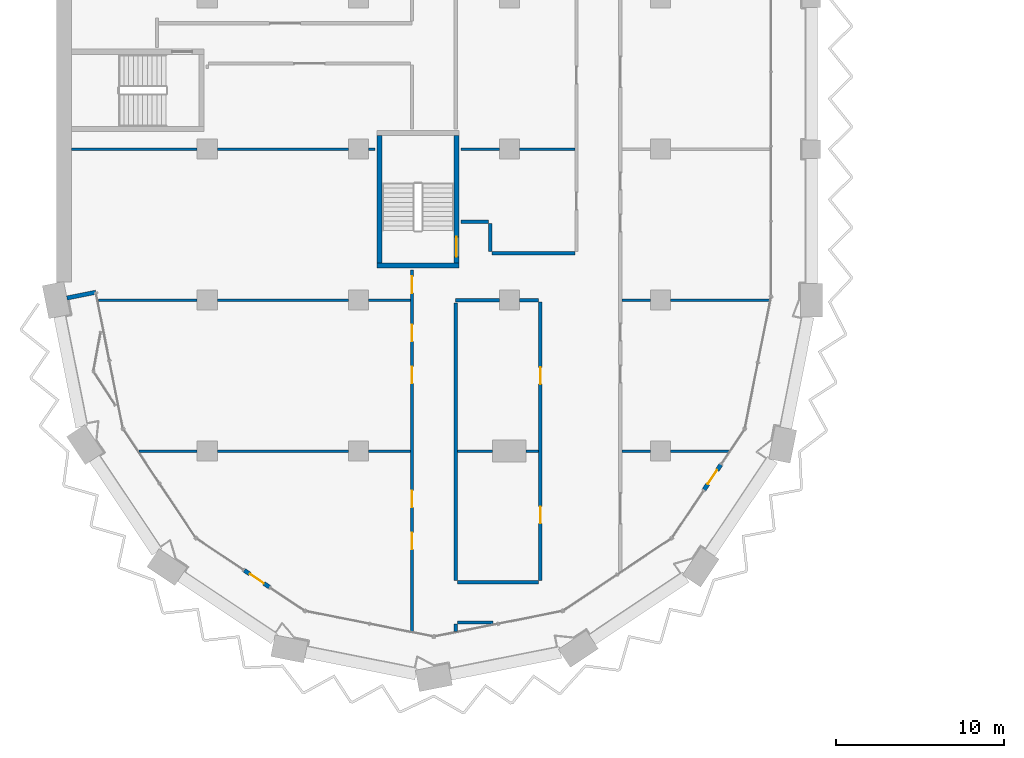
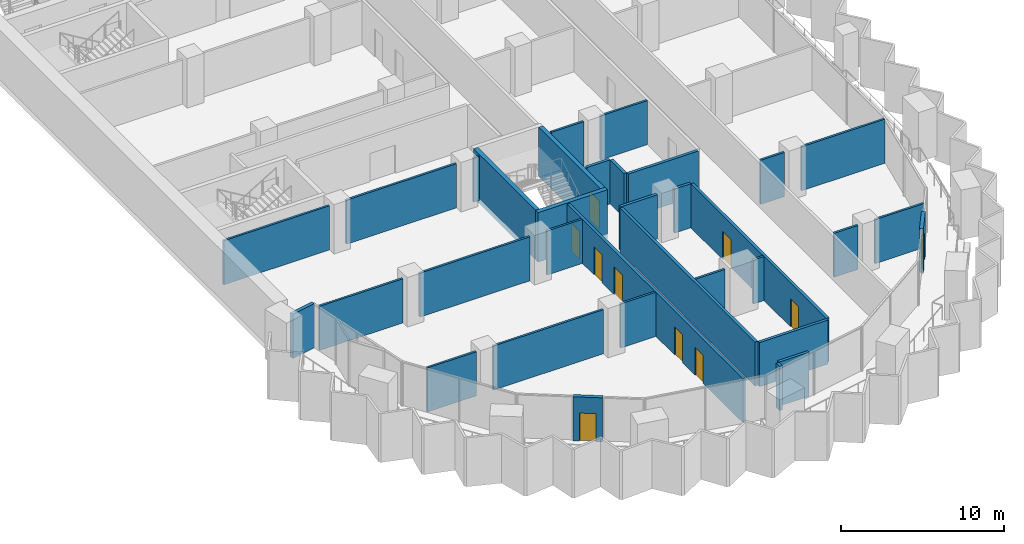
# One storey, part 10 of 23: 34 walls, 10 doors, 10 openings.
"""IFC4 building model written with IfcOpenShell, lengths in metres."""

from ifc_helpers import new_model, si_unit, direction, frame, frame_2d, origin, place, context, subcontext, project, spatial, rectangle, extrude, material, layer, layer_set, type_object, element, fill, save


model = new_model("IFC4")

# Units and contexts
model_context = context("Model", 3, precision=1e-05, world=origin(), true_north=direction((0.0, 1.0)))
body_context = subcontext(model_context, "Body", "Model", "MODEL_VIEW")
ifc_project = project(units=[si_unit("LENGTHUNIT", "METRE"), si_unit("AREAUNIT", "SQUARE_METRE"), si_unit("VOLUMEUNIT", "CUBIC_METRE"), si_unit("PLANEANGLEUNIT", "RADIAN"), si_unit("MASSUNIT", "GRAM", prefix="KILO")], contexts=[model_context])

# Site, building, storey
site_placement = place(None, origin())
site = spatial("IfcSite", under=ifc_project, at=site_placement, CompositionType="ELEMENT")
building_placement = place(site_placement, origin())
building = spatial("IfcBuilding", under=site, at=building_placement, Name="Hunhe Ridgeline Campus", CompositionType="ELEMENT")
storey_placement = place(building_placement, frame((0.0, 0.0, 170.800048828125)))
storey = spatial("IfcBuildingStorey", under=building, at=storey_placement, Name="L43", CompositionType="ELEMENT", Elevation=170.800048828125)

# Walls
ifc_material_1 = material(Name="Concrete C30", Category="concrete")
ifc_layer_1 = layer(ifc_material_1, 0.25)
ifc_layer_set_1 = layer_set([ifc_layer_1], Name="Corner return wall 250 Concrete C30")
wall_type_1 = type_object("IfcWallType", Name="Corner return wall 250 Concrete C30", PredefinedType="SOLIDWALL", material=ifc_layer_set_1)
wall_1_placement = place(storey_placement, frame((0.637451171875, 27.127685546875, 0.0), z_axis=(0.0, 0.0, 1.0), x_axis=(0.980842591884, 0.194801976239, 0.0)))
element("IfcWall", 1, at=wall_1_placement, inside=storey, type_object=wall_type_1, Name="Corner return wall 1", PredefinedType="SOLIDWALL", context=body_context, shape_type="SweptSolid", body=[
    extrude(rectangle(XDim=1.750732421875, YDim=0.25, at=frame_2d((0.87548828125, 0.0))), origin(), (0.0, 0.0, 1.0), 3.300048828125),
])
ifc_material_2 = material(Name="Gypsum board partition")
ifc_layer_2 = layer(ifc_material_2, 0.199951171875)
ifc_layer_set_2 = layer_set([ifc_layer_2], Name="Corridor partition 200 gypsum board on steel studs")
wall_type_2 = type_object("IfcWallType", Name="Corridor partition 200 gypsum board on steel studs", PredefinedType="PARTITIONING", material=ifc_layer_set_2)
wall_2_placement = place(storey_placement, frame((26.021728515625, 7.7900390625, 0.0), z_axis=(0.0, 0.0, 1.0), x_axis=(-1.0, 0.0, 0.0)))
element("IfcWall", 2, at=wall_2_placement, inside=storey, type_object=wall_type_2, Name="F-L43-wall-001", PredefinedType="PARTITIONING", context=body_context, shape_type="SweptSolid", body=[
    extrude(rectangle(XDim=2.121826171875, YDim=0.199951171875, at=frame_2d((1.06103515625, 0.0))), origin(), (0.0, 0.0, 1.0), 3.300048828125),
])
wall_3_placement = place(storey_placement, frame((23.89990234375, 10.18994140625, 0.0), z_axis=(0.0, 0.0, 1.0), x_axis=(1.0, 0.0, 0.0)))
element("IfcWall", 3, at=wall_3_placement, inside=storey, type_object=wall_type_2, Name="F-L43-wall-002", PredefinedType="PARTITIONING", context=body_context, shape_type="SweptSolid", body=[
    extrude(rectangle(XDim=4.85009765625, YDim=0.199951171875, at=frame_2d((2.425048828125, 0.0))), origin(), (0.0, 0.0, 1.0), 3.300048828125),
])
wall_4_placement = place(storey_placement, frame((26.39990234375, 27.0, 0.0), z_axis=(0.0, 0.0, 1.0), x_axis=(-1.0, 0.0, 0.0)))
element("IfcWall", 4, at=wall_4_placement, inside=storey, type_object=wall_type_2, Name="F-L43-wall-010", PredefinedType="PARTITIONING", context=body_context, shape_type="SweptSolid", body=[
    extrude(rectangle(XDim=2.599853515625, YDim=0.199951171875, at=frame_2d((1.2998046875, 0.0))), origin(), (0.0, 0.0, 1.0), 3.300048828125),
])
wall_5_placement = place(storey_placement, frame((28.75, 27.0, 0.0), z_axis=(0.0, 0.0, 1.0), x_axis=(-1.0, 0.0, 0.0)))
element("IfcWall", 5, at=wall_5_placement, inside=storey, type_object=wall_type_2, Name="F-L43-wall-011", PredefinedType="PARTITIONING", context=body_context, shape_type="SweptSolid", body=[
    extrude(rectangle(XDim=1.14990234375, YDim=0.199951171875, at=frame_2d((0.574951171875, 0.0))), origin(), (0.0, 0.0, 1.0), 3.300048828125),
])
wall_6_placement = place(storey_placement, frame((25.949951171875, 29.799072265625, 0.0), z_axis=(0.0, 0.0, 1.0), x_axis=(1.0, 0.0, 0.0)))
element("IfcWall", 6, at=wall_6_placement, inside=storey, type_object=wall_type_2, Name="F-L43-wall-017", PredefinedType="PARTITIONING", context=body_context, shape_type="SweptSolid", body=[
    extrude(rectangle(XDim=4.949951171875, YDim=0.199951171875, at=frame_2d((2.47509765625, 0.0))), origin(), (0.0, 0.0, 1.0), 3.300048828125),
])
wall_7_placement = place(storey_placement, frame((24.10400390625, 31.675048828125, 0.0), z_axis=(0.0, 0.0, 1.0), x_axis=(1.0, 0.0, 0.0)))
element("IfcWall", 7, at=wall_7_placement, inside=storey, type_object=wall_type_2, Name="F-L43-wall-018", PredefinedType="PARTITIONING", context=body_context, shape_type="SweptSolid", body=[
    extrude(rectangle(XDim=1.64599609375, YDim=0.199951171875, at=frame_2d((0.822998046875, 0.0))), origin(), (0.0, 0.0, 1.0), 3.300048828125),
])

# Wall, openings, doors
wall_8_placement = place(storey_placement, frame((21.199951171875, 7.26171875, 0.0), z_axis=(0.0, 0.0, 1.0), x_axis=(0.0, 1.0, 0.0)))
wall_8 = element("IfcWall", 8, at=wall_8_placement, inside=storey, type_object=wall_type_2, Name="F-L43-wall-063", PredefinedType="PARTITIONING", context=body_context, shape_type="SweptSolid", body=[
    extrude(rectangle(XDim=21.5341796875, YDim=0.199951171875, at=frame_2d((10.76708984375, 0.0))), origin(), (0.0, 0.0, 1.0), 3.300048828125),
])
opening_1_placement = place(wall_8_placement, frame((4.883544921875, 0.0, 0.0)))
opening_1 = element("IfcOpeningElement", 9, at=opening_1_placement, cuts=wall_8, Name="Opening RD1-001", PredefinedType="OPENING", context=body_context, shape_type="SweptSolid", body=[
    extrude(rectangle(XDim=1.0, YDim=2.10009765625, at=frame_2d((0.5, 1.050048828125))), frame((0.0, 0.10009765625, 0.0), z_axis=(0.0, -1.0, 0.0), x_axis=(1.0, 0.0, 0.0)), (0.0, 0.0, 1.0), 0.199951171875),
])
opening_2_placement = place(wall_8_placement, frame((7.383544921875, 0.0, 0.0)))
opening_2 = element("IfcOpeningElement", 10, at=opening_2_placement, cuts=wall_8, Name="Opening RD1-004", PredefinedType="OPENING", context=body_context, shape_type="SweptSolid", body=[
    extrude(rectangle(XDim=1.0, YDim=2.10009765625, at=frame_2d((0.5, 1.050048828125))), frame((0.0, 0.10009765625, 0.0), z_axis=(0.0, -1.0, 0.0), x_axis=(1.0, 0.0, 0.0)), (0.0, 0.0, 1.0), 0.199951171875),
])
opening_3_placement = place(wall_8_placement, frame((14.7744140625, 0.0, 0.0)))
opening_3 = element("IfcOpeningElement", 11, at=opening_3_placement, cuts=wall_8, Name="Opening RD1-005", PredefinedType="OPENING", context=body_context, shape_type="SweptSolid", body=[
    extrude(rectangle(XDim=1.0, YDim=2.10009765625, at=frame_2d((0.5, 1.050048828125))), frame((0.0, 0.10009765625, 0.0), z_axis=(0.0, -1.0, 0.0), x_axis=(1.0, 0.0, 0.0)), (0.0, 0.0, 1.0), 0.199951171875),
])
opening_4_placement = place(wall_8_placement, frame((17.2744140625, 0.0, 0.0)))
opening_4 = element("IfcOpeningElement", 12, at=opening_4_placement, cuts=wall_8, Name="Opening RD1-008", PredefinedType="OPENING", context=body_context, shape_type="SweptSolid", body=[
    extrude(rectangle(XDim=1.0, YDim=2.10009765625, at=frame_2d((0.5, 1.050048828125))), frame((0.0, 0.10009765625, 0.0), z_axis=(0.0, -1.0, 0.0), x_axis=(1.0, 0.0, 0.0)), (0.0, 0.0, 1.0), 0.199951171875),
])
opening_5_placement = place(wall_8_placement, frame((20.157958984375, 0.0, 0.0)))
opening_5 = element("IfcOpeningElement", 13, at=opening_5_placement, cuts=wall_8, Name="Opening RD1-010", PredefinedType="OPENING", context=body_context, shape_type="SweptSolid", body=[
    extrude(rectangle(XDim=1.0, YDim=2.10009765625, at=frame_2d((0.5, 1.050048828125))), frame((0.0, 0.10009765625, 0.0), z_axis=(0.0, -1.0, 0.0), x_axis=(1.0, 0.0, 0.0)), (0.0, 0.0, 1.0), 0.199951171875),
])
ifc_material_3 = material(Name="Timber door leaf", Category="wood")
door_type_1 = type_object("IfcDoorType", Name="Single fire door 1000x2100 timber FD60", OperationType="NOTDEFINED", PredefinedType="DOOR", material=ifc_material_3)
door_1_placement = place(opening_1_placement, frame((1.0, 0.0, 0.0), z_axis=(0.0, 0.0, 1.0), x_axis=(-1.0, 0.0, 0.0)))
door_1 = element("IfcDoor", 14, at=door_1_placement, inside=storey, type_object=door_type_1, Name="F-L43-door-001", OperationType="SINGLE_SWING_RIGHT", OverallHeight=2.10009765625, OverallWidth=1.0, PredefinedType="DOOR", context=body_context, shape_type="SweptSolid", body=[
    extrude(rectangle(XDim=1.0, YDim=2.10009765625, at=frame_2d((0.5, 1.050048828125))), frame((0.0, 0.02490234375, 0.0), z_axis=(0.0, -1.0, 0.0), x_axis=(1.0, 0.0, 0.0)), (0.0, 0.0, 1.0), 0.050048828125),
])
fill(opening_1, door_1)
door_2_placement = place(opening_2_placement, frame((1.0, 0.0, 0.0), z_axis=(0.0, 0.0, 1.0), x_axis=(-1.0, 0.0, 0.0)))
door_2 = element("IfcDoor", 15, at=door_2_placement, inside=storey, type_object=door_type_1, Name="F-L43-door-004", OperationType="SINGLE_SWING_LEFT", OverallHeight=2.10009765625, OverallWidth=1.0, PredefinedType="DOOR", context=body_context, shape_type="SweptSolid", body=[
    extrude(rectangle(XDim=1.0, YDim=2.10009765625, at=frame_2d((0.5, 1.050048828125))), frame((0.0, 0.02490234375, 0.0), z_axis=(0.0, -1.0, 0.0), x_axis=(1.0, 0.0, 0.0)), (0.0, 0.0, 1.0), 0.050048828125),
])
fill(opening_2, door_2)
door_3_placement = place(opening_3_placement, frame((1.0, 0.0, 0.0), z_axis=(0.0, 0.0, 1.0), x_axis=(-1.0, 0.0, 0.0)))
door_3 = element("IfcDoor", 16, at=door_3_placement, inside=storey, type_object=door_type_1, Name="F-L43-door-005", OperationType="SINGLE_SWING_LEFT", OverallHeight=2.10009765625, OverallWidth=1.0, PredefinedType="DOOR", context=body_context, shape_type="SweptSolid", body=[
    extrude(rectangle(XDim=1.0, YDim=2.10009765625, at=frame_2d((0.5, 1.050048828125))), frame((0.0, 0.02490234375, 0.0), z_axis=(0.0, -1.0, 0.0), x_axis=(1.0, 0.0, 0.0)), (0.0, 0.0, 1.0), 0.050048828125),
])
fill(opening_3, door_3)
door_4_placement = place(opening_4_placement, frame((1.0, 0.0, 0.0), z_axis=(0.0, 0.0, 1.0), x_axis=(-1.0, 0.0, 0.0)))
door_4 = element("IfcDoor", 17, at=door_4_placement, inside=storey, type_object=door_type_1, Name="F-L43-door-008", OperationType="SINGLE_SWING_LEFT", OverallHeight=2.10009765625, OverallWidth=1.0, PredefinedType="DOOR", context=body_context, shape_type="SweptSolid", body=[
    extrude(rectangle(XDim=1.0, YDim=2.10009765625, at=frame_2d((0.5, 1.050048828125))), frame((0.0, 0.02490234375, 0.0), z_axis=(0.0, -1.0, 0.0), x_axis=(1.0, 0.0, 0.0)), (0.0, 0.0, 1.0), 0.050048828125),
])
fill(opening_4, door_4)
door_5_placement = place(opening_5_placement, frame((1.0, 0.0, 0.0), z_axis=(0.0, 0.0, 1.0), x_axis=(-1.0, 0.0, 0.0)))
door_5 = element("IfcDoor", 18, at=door_5_placement, inside=storey, type_object=door_type_1, Name="F-L43-door-010", OperationType="SINGLE_SWING_LEFT", OverallHeight=2.10009765625, OverallWidth=1.0, PredefinedType="DOOR", context=body_context, shape_type="SweptSolid", body=[
    extrude(rectangle(XDim=1.0, YDim=2.10009765625, at=frame_2d((0.5, 1.050048828125))), frame((0.0, 0.02490234375, 0.0), z_axis=(0.0, -1.0, 0.0), x_axis=(1.0, 0.0, 0.0)), (0.0, 0.0, 1.0), 0.050048828125),
])
fill(opening_5, door_5)

# Walls
wall_9_placement = place(storey_placement, frame((23.800048828125, 7.68994140625, 0.0), z_axis=(0.0, 0.0, 1.0), x_axis=(0.0, -1.0, 0.0)))
element("IfcWall", 19, at=wall_9_placement, inside=storey, type_object=wall_type_2, Name="F-L43-wall-066", PredefinedType="PARTITIONING", context=body_context, shape_type="SweptSolid", body=[
    extrude(rectangle(XDim=0.42822265625, YDim=0.199951171875, at=frame_2d((0.214111328125, 0.0))), origin(), (0.0, 0.0, 1.0), 3.300048828125),
])
wall_10_placement = place(storey_placement, frame((23.800048828125, 26.83837890625, 0.0), z_axis=(0.0, 0.0, 1.0), x_axis=(0.0, -1.0, 0.0)))
element("IfcWall", 20, at=wall_10_placement, inside=storey, type_object=wall_type_2, Name="F-L43-wall-067", PredefinedType="PARTITIONING", context=body_context, shape_type="SweptSolid", body=[
    extrude(rectangle(XDim=16.54833984375, YDim=0.199951171875, at=frame_2d((8.274169921875, 0.0))), origin(), (0.0, 0.0, 1.0), 3.300048828125),
])
wall_11_placement = place(storey_placement, frame((25.85009765625, 31.574951171875, 0.0), z_axis=(0.0, 0.0, 1.0), x_axis=(0.0, -1.0, 0.0)))
element("IfcWall", 21, at=wall_11_placement, inside=storey, type_object=wall_type_2, Name="F-L43-wall-069", PredefinedType="PARTITIONING", context=body_context, shape_type="SweptSolid", body=[
    extrude(rectangle(XDim=1.676025390625, YDim=0.199951171875, at=frame_2d((0.837890625, 0.0))), origin(), (0.0, 0.0, 1.0), 3.300048828125),
])

# Wall, openings, doors
wall_12_placement = place(storey_placement, frame((28.85009765625, 10.2900390625, 0.0), z_axis=(0.0, 0.0, 1.0), x_axis=(0.0, 1.0, 0.0)))
wall_12 = element("IfcWall", 22, at=wall_12_placement, inside=storey, type_object=wall_type_2, Name="F-L43-wall-070", PredefinedType="PARTITIONING", context=body_context, shape_type="SweptSolid", body=[
    extrude(rectangle(XDim=16.60986328125, YDim=0.199951171875, at=frame_2d((8.304931640625, 0.0))), origin(), (0.0, 0.0, 1.0), 3.300048828125),
])
opening_6_placement = place(wall_12_placement, frame((3.40087890625, 0.0, 0.0)))
opening_6 = element("IfcOpeningElement", 23, at=opening_6_placement, cuts=wall_12, Name="Opening RD1-002", PredefinedType="OPENING", context=body_context, shape_type="SweptSolid", body=[
    extrude(rectangle(XDim=1.0, YDim=2.10009765625, at=frame_2d((0.5, 1.050048828125))), frame((0.0, 0.10009765625, 0.0), z_axis=(0.0, -1.0, 0.0), x_axis=(1.0, 0.0, 0.0)), (0.0, 0.0, 1.0), 0.199951171875),
])
opening_7_placement = place(wall_12_placement, frame((11.705810546875, 0.0, 0.0)))
opening_7 = element("IfcOpeningElement", 24, at=opening_7_placement, cuts=wall_12, Name="Opening RD1-006", PredefinedType="OPENING", context=body_context, shape_type="SweptSolid", body=[
    extrude(rectangle(XDim=1.0, YDim=2.10009765625, at=frame_2d((0.5, 1.050048828125))), frame((0.0, 0.10009765625, 0.0), z_axis=(0.0, -1.0, 0.0), x_axis=(1.0, 0.0, 0.0)), (0.0, 0.0, 1.0), 0.199951171875),
])
door_6_placement = place(opening_6_placement, origin())
door_6 = element("IfcDoor", 25, at=door_6_placement, inside=storey, type_object=door_type_1, Name="F-L43-door-002", OperationType="SINGLE_SWING_RIGHT", OverallHeight=2.10009765625, OverallWidth=1.0, PredefinedType="DOOR", context=body_context, shape_type="SweptSolid", body=[
    extrude(rectangle(XDim=1.0, YDim=2.10009765625, at=frame_2d((0.5, 1.050048828125))), frame((0.0, 0.02490234375, 0.0), z_axis=(0.0, -1.0, 0.0), x_axis=(1.0, 0.0, 0.0)), (0.0, 0.0, 1.0), 0.050048828125),
])
fill(opening_6, door_6)
door_7_placement = place(opening_7_placement, origin())
door_7 = element("IfcDoor", 26, at=door_7_placement, inside=storey, type_object=door_type_1, Name="F-L43-door-006", OperationType="SINGLE_SWING_RIGHT", OverallHeight=2.10009765625, OverallWidth=1.0, PredefinedType="DOOR", context=body_context, shape_type="SweptSolid", body=[
    extrude(rectangle(XDim=1.0, YDim=2.10009765625, at=frame_2d((0.5, 1.050048828125))), frame((0.0, 0.02490234375, 0.0), z_axis=(0.0, -1.0, 0.0), x_axis=(1.0, 0.0, 0.0)), (0.0, 0.0, 1.0), 0.050048828125),
])
fill(opening_7, door_7)

# Wall, opening, door
ifc_layer_3 = layer(ifc_material_1, 0.25)
ifc_layer_set_3 = layer_set([ifc_layer_3], Name="Loggia door pier wall 250 Concrete C30")
wall_type_3 = type_object("IfcWallType", Name="Loggia door pier wall 250 Concrete C30", PredefinedType="SOLIDWALL", material=ifc_layer_set_3)
wall_13_placement = place(storey_placement, frame((11.19970703125, 10.897705078125, 0.0), z_axis=(0.0, 0.0, 1.0), x_axis=(0.83146554274, -0.555576323502, 0.0)))
wall_13 = element("IfcWall", 27, at=wall_13_placement, inside=storey, type_object=wall_type_3, Name="Loggia door pier 1", PredefinedType="SOLIDWALL", context=body_context, shape_type="SweptSolid", body=[
    extrude(rectangle(XDim=1.800048828125, YDim=0.25, at=frame_2d((0.89990234375, 0.0))), origin(), (0.0, 0.0, 1.0), 3.300048828125),
])
opening_8_placement = place(wall_13_placement, frame((0.39990234375, 0.0, 0.0)))
opening_8 = element("IfcOpeningElement", 28, at=opening_8_placement, cuts=wall_13, Name="Opening BD302", PredefinedType="OPENING", context=body_context, shape_type="SweptSolid", body=[
    extrude(rectangle(XDim=1.0, YDim=2.10009765625, at=frame_2d((0.5, 1.050048828125))), frame((0.0, 0.125, 0.0), z_axis=(0.0, -1.0, 0.0), x_axis=(1.0, 0.0, 0.0)), (0.0, 0.0, 1.0), 0.25),
])
ifc_material_4 = material(Name="Aluminium 6063", Category="aluminium")
door_type_2 = type_object("IfcDoorType", Name="Loggia glazed door 1000x2100", OperationType="NOTDEFINED", PredefinedType="DOOR", material=ifc_material_4)
door_8_placement = place(opening_8_placement, frame((1.0, 0.0, 0.0), z_axis=(0.0, 0.0, 1.0), x_axis=(-1.0, 0.0, 0.0)))
door_8 = element("IfcDoor", 29, at=door_8_placement, inside=storey, type_object=door_type_2, Name="Loggia door BD302", OperationType="SINGLE_SWING_LEFT", OverallHeight=2.10009765625, OverallWidth=1.0, PredefinedType="DOOR", context=body_context, shape_type="SweptSolid", body=[
    extrude(rectangle(XDim=1.0, YDim=2.10009765625, at=frame_2d((0.5, 1.050048828125))), frame((0.0, 0.02490234375, 0.0), z_axis=(0.0, -1.0, 0.0), x_axis=(1.0, 0.0, 0.0)), (0.0, 0.0, 1.0), 0.050048828125),
])
fill(opening_8, door_8)

wall_14_placement = place(storey_placement, frame((38.602294921875, 15.69970703125, 0.0), z_axis=(0.0, 0.0, 1.0), x_axis=(0.555576323502, 0.83146554274, 0.0)))
wall_14 = element("IfcWall", 30, at=wall_14_placement, inside=storey, type_object=wall_type_3, Name="Loggia door pier 2", PredefinedType="SOLIDWALL", context=body_context, shape_type="SweptSolid", body=[
    extrude(rectangle(XDim=1.800048828125, YDim=0.25, at=frame_2d((0.89990234375, 0.0))), origin(), (0.0, 0.0, 1.0), 3.300048828125),
])
opening_9_placement = place(wall_14_placement, frame((0.39990234375, 0.0, 0.0)))
opening_9 = element("IfcOpeningElement", 31, at=opening_9_placement, cuts=wall_14, Name="Opening BD304", PredefinedType="OPENING", context=body_context, shape_type="SweptSolid", body=[
    extrude(rectangle(XDim=1.0, YDim=2.10009765625, at=frame_2d((0.5, 1.050048828125))), frame((0.0, 0.125, 0.0), z_axis=(0.0, -1.0, 0.0), x_axis=(1.0, 0.0, 0.0)), (0.0, 0.0, 1.0), 0.25),
])
door_9_placement = place(opening_9_placement, frame((1.0, 0.0, 0.0), z_axis=(0.0, 0.0, 1.0), x_axis=(-1.0, 0.0, 0.0)))
door_9 = element("IfcDoor", 32, at=door_9_placement, inside=storey, type_object=door_type_2, Name="Loggia door BD304", OperationType="SINGLE_SWING_LEFT", OverallHeight=2.10009765625, OverallWidth=1.0, PredefinedType="DOOR", context=body_context, shape_type="SweptSolid", body=[
    extrude(rectangle(XDim=1.0, YDim=2.10009765625, at=frame_2d((0.5, 1.050048828125))), frame((0.0, 0.02490234375, 0.0), z_axis=(0.0, -1.0, 0.0), x_axis=(1.0, 0.0, 0.0)), (0.0, 0.0, 1.0), 0.050048828125),
])
fill(opening_9, door_9)

# Walls
ifc_layer_4 = layer(ifc_material_2, 0.14990234375)
ifc_layer_set_4 = layer_set([ifc_layer_4], Name="Room partition 150 gypsum board on steel studs")
wall_type_4 = type_object("IfcWallType", Name="Room partition 150 gypsum board on steel studs", PredefinedType="PARTITIONING", material=ifc_layer_set_4)
wall_15_placement = place(storey_placement, frame((4.925537109375, 18.0, 0.0), z_axis=(0.0, 0.0, 1.0), x_axis=(1.0, 0.0, 0.0)))
element("IfcWall", 33, at=wall_15_placement, inside=storey, type_object=wall_type_4, Name="F-L43-wall-003", PredefinedType="PARTITIONING", context=body_context, shape_type="SweptSolid", body=[
    extrude(rectangle(XDim=3.474365234375, YDim=0.14990234375, at=frame_2d((1.7373046875, 0.0))), origin(), (0.0, 0.0, 1.0), 3.300048828125),
])
wall_16_placement = place(storey_placement, frame((9.60009765625, 18.0, 0.0), z_axis=(0.0, 0.0, 1.0), x_axis=(1.0, 0.0, 0.0)))
element("IfcWall", 34, at=wall_16_placement, inside=storey, type_object=wall_type_4, Name="F-L43-wall-004", PredefinedType="PARTITIONING", context=body_context, shape_type="SweptSolid", body=[
    extrude(rectangle(XDim=7.7998046875, YDim=0.14990234375, at=frame_2d((3.89990234375, 0.0))), origin(), (0.0, 0.0, 1.0), 3.300048828125),
])
wall_17_placement = place(storey_placement, frame((18.60009765625, 18.0, 0.0), z_axis=(0.0, 0.0, 1.0), x_axis=(1.0, 0.0, 0.0)))
element("IfcWall", 35, at=wall_17_placement, inside=storey, type_object=wall_type_4, Name="F-L43-wall-005", PredefinedType="PARTITIONING", context=body_context, shape_type="SweptSolid", body=[
    extrude(rectangle(XDim=2.5, YDim=0.14990234375, at=frame_2d((1.25, 0.0))), origin(), (0.0, 0.0, 1.0), 3.300048828125),
])
wall_18_placement = place(storey_placement, frame((23.89990234375, 18.0, 0.0), z_axis=(0.0, 0.0, 1.0), x_axis=(1.0, 0.0, 0.0)))
element("IfcWall", 36, at=wall_18_placement, inside=storey, type_object=wall_type_4, Name="F-L43-wall-006", PredefinedType="PARTITIONING", context=body_context, shape_type="SweptSolid", body=[
    extrude(rectangle(XDim=2.10009765625, YDim=0.14990234375, at=frame_2d((1.050048828125, 0.0))), origin(), (0.0, 0.0, 1.0), 3.300048828125),
])
wall_19_placement = place(storey_placement, frame((28.0, 18.0, 0.0), z_axis=(0.0, 0.0, 1.0), x_axis=(1.0, 0.0, 0.0)))
element("IfcWall", 37, at=wall_19_placement, inside=storey, type_object=wall_type_4, Name="F-L43-wall-007", PredefinedType="PARTITIONING", context=body_context, shape_type="SweptSolid", body=[
    extrude(rectangle(XDim=0.75, YDim=0.14990234375, at=frame_2d((0.375, 0.0))), origin(), (0.0, 0.0, 1.0), 3.300048828125),
])
wall_20_placement = place(storey_placement, frame((33.699951171875, 18.0, 0.0), z_axis=(0.0, 0.0, 1.0), x_axis=(1.0, 0.0, 0.0)))
element("IfcWall", 38, at=wall_20_placement, inside=storey, type_object=wall_type_4, Name="F-L43-wall-008", PredefinedType="PARTITIONING", context=body_context, shape_type="SweptSolid", body=[
    extrude(rectangle(XDim=1.699951171875, YDim=0.14990234375, at=frame_2d((0.85009765625, 0.0))), origin(), (0.0, 0.0, 1.0), 3.300048828125),
])
wall_21_placement = place(storey_placement, frame((36.60009765625, 18.0, 0.0), z_axis=(0.0, 0.0, 1.0), x_axis=(1.0, 0.0, 0.0)))
element("IfcWall", 39, at=wall_21_placement, inside=storey, type_object=wall_type_4, Name="F-L43-wall-009", PredefinedType="PARTITIONING", context=body_context, shape_type="SweptSolid", body=[
    extrude(rectangle(XDim=3.474365234375, YDim=0.14990234375, at=frame_2d((1.7373046875, 0.0))), origin(), (0.0, 0.0, 1.0), 3.300048828125),
])
wall_22_placement = place(storey_placement, frame((2.503173828125, 27.0, 0.0), z_axis=(0.0, 0.0, 1.0), x_axis=(1.0, 0.0, 0.0)))
element("IfcWall", 40, at=wall_22_placement, inside=storey, type_object=wall_type_4, Name="F-L43-wall-012", PredefinedType="PARTITIONING", context=body_context, shape_type="SweptSolid", body=[
    extrude(rectangle(XDim=5.896728515625, YDim=0.14990234375, at=frame_2d((2.9482421875, 0.0))), origin(), (0.0, 0.0, 1.0), 3.300048828125),
])
wall_23_placement = place(storey_placement, frame((9.60009765625, 27.0, 0.0), z_axis=(0.0, 0.0, 1.0), x_axis=(1.0, 0.0, 0.0)))
element("IfcWall", 41, at=wall_23_placement, inside=storey, type_object=wall_type_4, Name="F-L43-wall-013", PredefinedType="PARTITIONING", context=body_context, shape_type="SweptSolid", body=[
    extrude(rectangle(XDim=7.7998046875, YDim=0.14990234375, at=frame_2d((3.89990234375, 0.0))), origin(), (0.0, 0.0, 1.0), 3.300048828125),
])
wall_24_placement = place(storey_placement, frame((18.60009765625, 27.0, 0.0), z_axis=(0.0, 0.0, 1.0), x_axis=(1.0, 0.0, 0.0)))
element("IfcWall", 42, at=wall_24_placement, inside=storey, type_object=wall_type_4, Name="F-L43-wall-014", PredefinedType="PARTITIONING", context=body_context, shape_type="SweptSolid", body=[
    extrude(rectangle(XDim=2.5, YDim=0.14990234375, at=frame_2d((1.25, 0.0))), origin(), (0.0, 0.0, 1.0), 3.300048828125),
])
wall_25_placement = place(storey_placement, frame((33.699951171875, 27.0, 0.0), z_axis=(0.0, 0.0, 1.0), x_axis=(1.0, 0.0, 0.0)))
element("IfcWall", 43, at=wall_25_placement, inside=storey, type_object=wall_type_4, Name="F-L43-wall-015", PredefinedType="PARTITIONING", context=body_context, shape_type="SweptSolid", body=[
    extrude(rectangle(XDim=1.699951171875, YDim=0.14990234375, at=frame_2d((0.85009765625, 0.0))), origin(), (0.0, 0.0, 1.0), 3.300048828125),
])
wall_26_placement = place(storey_placement, frame((36.60009765625, 27.0, 0.0), z_axis=(0.0, 0.0, 1.0), x_axis=(1.0, 0.0, 0.0)))
element("IfcWall", 44, at=wall_26_placement, inside=storey, type_object=wall_type_4, Name="F-L43-wall-016", PredefinedType="PARTITIONING", context=body_context, shape_type="SweptSolid", body=[
    extrude(rectangle(XDim=5.896728515625, YDim=0.14990234375, at=frame_2d((2.9482421875, 0.0))), origin(), (0.0, 0.0, 1.0), 3.300048828125),
])
wall_27_placement = place(storey_placement, frame((0.919921875, 36.0, 0.0), z_axis=(0.0, 0.0, 1.0), x_axis=(1.0, 0.0, 0.0)))
element("IfcWall", 45, at=wall_27_placement, inside=storey, type_object=wall_type_4, Name="F-L43-wall-019", PredefinedType="PARTITIONING", context=body_context, shape_type="SweptSolid", body=[
    extrude(rectangle(XDim=7.47998046875, YDim=0.14990234375, at=frame_2d((3.739990234375, 0.0))), origin(), (0.0, 0.0, 1.0), 3.300048828125),
])
wall_28_placement = place(storey_placement, frame((9.60009765625, 36.0, 0.0), z_axis=(0.0, 0.0, 1.0), x_axis=(1.0, 0.0, 0.0)))
element("IfcWall", 46, at=wall_28_placement, inside=storey, type_object=wall_type_4, Name="F-L43-wall-020", PredefinedType="PARTITIONING", context=body_context, shape_type="SweptSolid", body=[
    extrude(rectangle(XDim=7.7998046875, YDim=0.14990234375, at=frame_2d((3.89990234375, 0.0))), origin(), (0.0, 0.0, 1.0), 3.300048828125),
])
wall_29_placement = place(storey_placement, frame((18.60009765625, 36.0, 0.0), z_axis=(0.0, 0.0, 1.0), x_axis=(1.0, 0.0, 0.0)))
element("IfcWall", 47, at=wall_29_placement, inside=storey, type_object=wall_type_4, Name="F-L43-wall-021", PredefinedType="PARTITIONING", context=body_context, shape_type="SweptSolid", body=[
    extrude(rectangle(XDim=0.39599609375, YDim=0.14990234375, at=frame_2d((0.197998046875, 0.0))), origin(), (0.0, 0.0, 1.0), 3.300048828125),
])
wall_30_placement = place(storey_placement, frame((24.10400390625, 36.0, 0.0), z_axis=(0.0, 0.0, 1.0), x_axis=(1.0, 0.0, 0.0)))
element("IfcWall", 48, at=wall_30_placement, inside=storey, type_object=wall_type_4, Name="F-L43-wall-022", PredefinedType="PARTITIONING", context=body_context, shape_type="SweptSolid", body=[
    extrude(rectangle(XDim=2.2958984375, YDim=0.14990234375, at=frame_2d((1.14794921875, 0.0))), origin(), (0.0, 0.0, 1.0), 3.300048828125),
])
wall_31_placement = place(storey_placement, frame((27.60009765625, 36.0, 0.0), z_axis=(0.0, 0.0, 1.0), x_axis=(1.0, 0.0, 0.0)))
element("IfcWall", 49, at=wall_31_placement, inside=storey, type_object=wall_type_4, Name="F-L43-wall-023", PredefinedType="PARTITIONING", context=body_context, shape_type="SweptSolid", body=[
    extrude(rectangle(XDim=3.2998046875, YDim=0.14990234375, at=frame_2d((1.64990234375, 0.0))), origin(), (0.0, 0.0, 1.0), 3.300048828125),
])
ifc_material_5 = material(Name="Concrete C70", Category="concrete")
ifc_layer_5 = layer(ifc_material_5, 0.300048828125)
ifc_layer_set_5 = layer_set([ifc_layer_5], Name="Stair wall 300 reinforced concrete C70")
wall_type_5 = type_object("IfcWallType", Name="Stair wall 300 reinforced concrete C70", PredefinedType="SOLIDWALL", material=ifc_layer_set_5)
wall_32_placement = place(storey_placement, frame((19.10009765625, 29.050048828125, -0.400146484375), z_axis=(0.0, 0.0, 1.0), x_axis=(1.0, 0.0, 0.0)))
element("IfcWall", 50, at=wall_32_placement, inside=storey, type_object=wall_type_5, Name="L43 core wall 1", PredefinedType="SOLIDWALL", context=body_context, shape_type="SweptSolid", body=[
    extrude(rectangle(XDim=4.89990234375, YDim=0.300048828125, at=frame_2d((2.449951171875, 0.0))), origin(), (0.0, 0.0, 1.0), 3.7001953125),
])
wall_33_placement = place(storey_placement, frame((19.25, 29.199951171875, -0.400146484375), z_axis=(0.0, 0.0, 1.0), x_axis=(0.0, 1.0, 0.0)))
element("IfcWall", 51, at=wall_33_placement, inside=storey, type_object=wall_type_5, Name="L43 core wall 47", PredefinedType="SOLIDWALL", context=body_context, shape_type="SweptSolid", body=[
    extrude(rectangle(XDim=7.60009765625, YDim=0.300048828125, at=frame_2d((3.800048828125, 0.0))), origin(), (0.0, 0.0, 1.0), 3.7001953125),
])

# Wall, opening, door
wall_34_placement = place(storey_placement, frame((23.85009765625, 29.199951171875, -0.400146484375), z_axis=(0.0, 0.0, 1.0), x_axis=(0.0, 1.0, 0.0)))
wall_34 = element("IfcWall", 52, at=wall_34_placement, inside=storey, type_object=wall_type_5, Name="L43 core wall 52", PredefinedType="SOLIDWALL", context=body_context, shape_type="SweptSolid", body=[
    extrude(rectangle(XDim=7.60009765625, YDim=0.300048828125, at=frame_2d((3.800048828125, 0.0))), origin(), (0.0, 0.0, 1.0), 3.7001953125),
])
opening_10_placement = place(wall_34_placement, frame((0.375, 0.0, 0.39990234375)))
opening_10 = element("IfcOpeningElement", 53, at=opening_10_placement, cuts=wall_34, Name="Opening CD23", PredefinedType="OPENING", context=body_context, shape_type="SweptSolid", body=[
    extrude(rectangle(XDim=1.199951171875, YDim=2.10009765625, at=frame_2d((0.60009765625, 1.050048828125))), frame((0.0, 0.14990234375, 0.0), z_axis=(0.0, -1.0, 0.0), x_axis=(1.0, 0.0, 0.0)), (0.0, 0.0, 1.0), 0.300048828125),
])
ifc_material_6 = material(Name="Hollow metal fire door leaf")
door_type_3 = type_object("IfcDoorType", Name="Stair door 1200x2100 FD60", OperationType="SINGLE_SWING_LEFT", PredefinedType="DOOR", material=ifc_material_6)
door_10_placement = place(opening_10_placement, frame((1.199951171875, 0.0, 0.0), z_axis=(0.0, 0.0, 1.0), x_axis=(-1.0, 0.0, 0.0)))
door_10 = element("IfcDoor", 54, at=door_10_placement, inside=storey, type_object=door_type_3, Name="L43 door W3", OperationType="SINGLE_SWING_RIGHT", OverallHeight=2.10009765625, OverallWidth=1.199951171875, PredefinedType="DOOR", context=body_context, shape_type="SweptSolid", body=[
    extrude(rectangle(XDim=1.199951171875, YDim=2.10009765625, at=frame_2d((0.60009765625, 1.050048828125))), frame((0.0, 0.02490234375, 0.0), z_axis=(0.0, -1.0, 0.0), x_axis=(1.0, 0.0, 0.0)), (0.0, 0.0, 1.0), 0.050048828125),
])
fill(opening_10, door_10)

save(model, "model.ifc")
